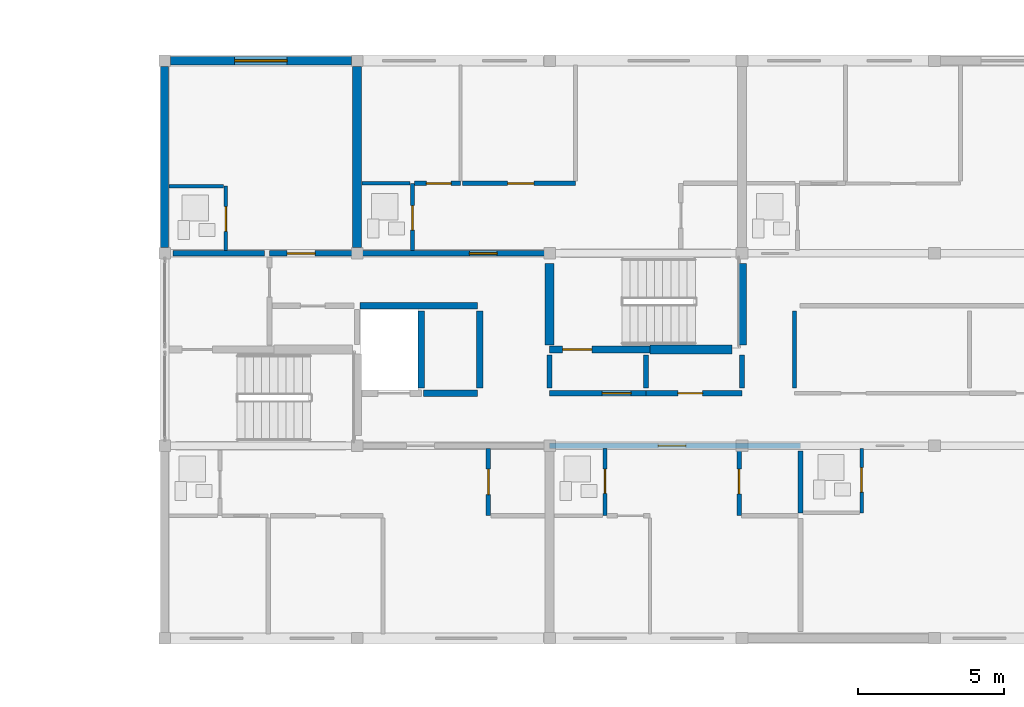
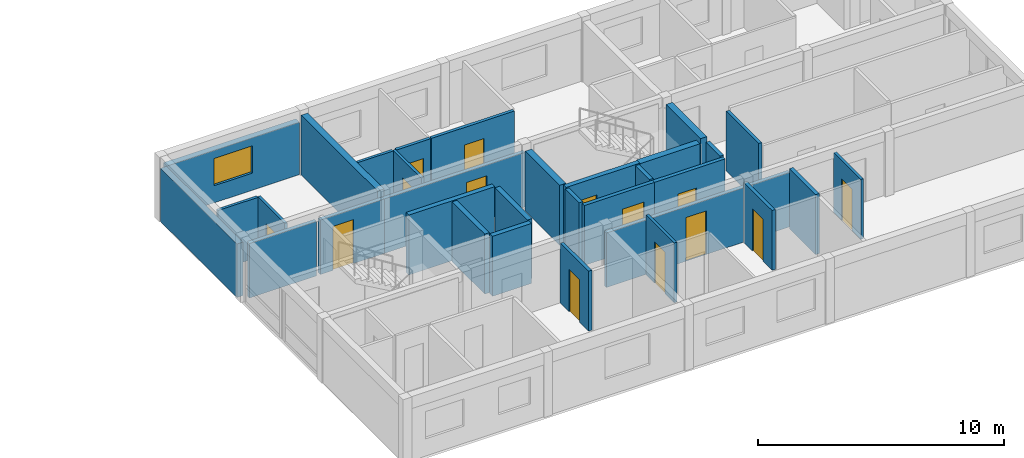
# One storey, part 24 of 34: 32 walls, 14 doors, 1 window, 15 openings.
"""IFC4 building model written with IfcOpenShell, lengths in metres."""

from ifc_helpers import new_model, si_unit, direction, frame, frame_2d, origin, place, context, subcontext, project, spatial, rectangle, extrude, material, layer, layer_set, type_object, element, fill, save


model = new_model("IFC4")

# Units and contexts
model_context = context("Model", 3, precision=1e-05, world=origin(), true_north=direction((0.0, 1.0)))
body_context = subcontext(model_context, "Body", "Model", "MODEL_VIEW")
ifc_project = project(units=[si_unit("LENGTHUNIT", "METRE"), si_unit("AREAUNIT", "SQUARE_METRE"), si_unit("VOLUMEUNIT", "CUBIC_METRE"), si_unit("PLANEANGLEUNIT", "RADIAN"), si_unit("MASSUNIT", "GRAM", prefix="KILO")], contexts=[model_context])

# Site, building, storey
site_placement = place(None, origin())
site = spatial("IfcSite", under=ifc_project, at=site_placement, CompositionType="ELEMENT")
building_placement = place(site_placement, origin())
building = spatial("IfcBuilding", under=site, at=building_placement, Name="Kernevlak Ridge Housing Community", CompositionType="ELEMENT")
storey_placement = place(building_placement, frame((0.0, 0.0, 34.0)))
storey = spatial("IfcBuildingStorey", under=building, at=storey_placement, Name="L10", CompositionType="ELEMENT", Elevation=34.0)

# Wall, opening, window
ifc_material_1 = material(Name="Concrete block masonry M10", Category="masonry")
ifc_layer_1 = layer(ifc_material_1, 0.280029296875, Name="Concrete block masonry M10")
ifc_layer_set_1 = layer_set([ifc_layer_1], Name="Concrete block masonry M10")
wall_type_1 = type_object("IfcWallType", Name="EW-03", PredefinedType="STANDARD", material=ifc_layer_set_1)
wall_1_placement = place(storey_placement, frame((119.60009765625, 102.39990234375, 0.0), z_axis=(0.0, 0.0, 1.0), x_axis=(1.0, 0.0, 0.0)))
wall_1 = element("IfcWall", 1, at=wall_1_placement, inside=storey, type_object=wall_type_1, Name="Exterior wall EW-03 L10 456", PredefinedType="STANDARD", context=body_context, shape_type="SweptSolid", body=[
    extrude(rectangle(XDim=6.199951171875, YDim=0.280029296875, at=frame_2d((3.10009765625, 0.0))), origin(), (0.0, 0.0, 1.0), 2.60009765625),
])
opening_1_placement = place(wall_1_placement, frame((2.199951171875, 0.0, 0.85009765625)))
opening_1 = element("IfcOpeningElement", 2, at=opening_1_placement, cuts=wall_1, Name="Opening WT-03", PredefinedType="OPENING", context=body_context, shape_type="SweptSolid", body=[
    extrude(rectangle(XDim=1.800048828125, YDim=1.35009765625, at=frame_2d((0.89990234375, 0.675048828125))), frame((0.0, 0.14990234375, 0.0), z_axis=(0.0, -1.0, 0.0), x_axis=(1.0, 0.0, 0.0)), (0.0, 0.0, 1.0), 0.300048828125),
])
ifc_material_2 = material(Name="Aluminium EN AW-6060 anodised and laminated glass", Category="aluminium")
window_type = type_object("IfcWindowType", Name="WT-03", PartitioningType="SINGLE_PANEL", PredefinedType="WINDOW", material=ifc_material_2)
window_placement = place(opening_1_placement, origin())
window = element("IfcWindow", 3, at=window_placement, inside=storey, type_object=window_type, Name="Window WT-03 L10 354", OverallHeight=1.35009765625, OverallWidth=1.800048828125, PartitioningType="SINGLE_PANEL", PredefinedType="WINDOW", context=body_context, shape_type="SweptSolid", body=[
    extrude(rectangle(XDim=1.800048828125, YDim=1.35009765625, at=frame_2d((0.89990234375, 0.675048828125))), frame((0.0, 0.030029296875, 0.0), z_axis=(0.0, -1.0, 0.0), x_axis=(1.0, 0.0, 0.0)), (0.0, 0.0, 1.0), 0.06005859375),
])
fill(opening_1, window)

# Walls
wall_2_placement = place(storey_placement, frame((119.39990234375, 96.0, 0.0), z_axis=(0.0, 0.0, 1.0), x_axis=(0.0, 1.0, 0.0)))
element("IfcWall", 4, at=wall_2_placement, inside=storey, type_object=wall_type_1, Name="Exterior wall EW-03 L10 464", PredefinedType="STANDARD", context=body_context, shape_type="SweptSolid", body=[
    extrude(rectangle(XDim=6.199951171875, YDim=0.280029296875, at=frame_2d((3.10009765625, 0.0))), origin(), (0.0, 0.0, 1.0), 2.64990234375),
])
ifc_material_3 = material(Name="Concrete C35/45", Category="concrete")
ifc_layer_2 = layer(ifc_material_3, 0.22509765625, Name="Concrete C35/45")
ifc_layer_set_2 = layer_set([ifc_layer_2], Name="Concrete C35/45")
wall_type_2 = type_object("IfcWallType", Name="PW-01", PredefinedType="STANDARD", material=ifc_layer_set_2)
wall_3_placement = place(storey_placement, frame((128.280029296875, 91.0, 0.0), z_axis=(0.0, 0.0, 1.0), x_axis=(1.0, 0.0, 0.0)))
element("IfcWall", 5, at=wall_3_placement, inside=storey, type_object=wall_type_2, Name="Interior wall PW-01 WAL-INT-L10-1770", PredefinedType="STANDARD", context=body_context, shape_type="SweptSolid", body=[
    extrude(rectangle(XDim=1.840087890625, YDim=0.22509765625, at=frame_2d((0.919921875, 0.0))), origin(), (0.0, 0.0, 1.0), 2.969970703125),
])
wall_4_placement = place(storey_placement, frame((126.097412109375, 94.0, 0.0), z_axis=(0.0, 0.0, 1.0), x_axis=(1.0, 0.0, 0.0)))
element("IfcWall", 6, at=wall_4_placement, inside=storey, type_object=wall_type_2, Name="Interior wall PW-01 WAL-INT-L10-1771", PredefinedType="STANDARD", context=body_context, shape_type="SweptSolid", body=[
    extrude(rectangle(XDim=4.022705078125, YDim=0.22509765625, at=frame_2d((2.01123046875, 0.0))), origin(), (0.0, 0.0, 1.0), 2.969970703125),
])
for number, where, z_axis, x_axis, name in (
    (7, (128.199951171875, 91.179931640625, 0.0), (0.0, 0.0, 1.0), (0.0, 1.0, 0.0), "Interior wall PW-01 WAL-INT-L10-1773"),
    (8, (130.199951171875, 91.179931640625, 0.0), (0.0, 0.0, 1.0), (0.0, 1.0, 0.0), "Interior wall PW-01 WAL-INT-L10-1774"),
):
    element("IfcWall", number, at=place(storey_placement, frame(where, z_axis=z_axis, x_axis=x_axis)), inside=storey, type_object=wall_type_2, Name=name, PredefinedType="STANDARD", context=body_context, shape_type="SweptSolid", body=[
        extrude(rectangle(XDim=2.64013671875, YDim=0.22509765625, at=frame_2d((1.320068359375, 0.0))), origin(), (0.0, 0.0, 1.0), 2.969970703125),
    ])

# Wall, opening, door
wall_5_placement = place(storey_placement, frame((132.60009765625, 92.5, 0.0), z_axis=(0.0, 0.0, 1.0), x_axis=(1.0, 0.0, 0.0)))
wall_5 = element("IfcWall", 9, at=wall_5_placement, inside=storey, type_object=wall_type_2, Name="Interior wall PW-01 WAL-INT-L10-1775", PredefinedType="STANDARD", context=body_context, shape_type="SweptSolid", body=[
    extrude(rectangle(XDim=3.449951171875, YDim=0.22509765625, at=frame_2d((1.72509765625, 0.0))), origin(), (0.0, 0.0, 1.0), 2.969970703125),
])
opening_2_placement = place(wall_5_placement, frame((0.449951171875, 0.0, 0.0)))
opening_2 = element("IfcOpeningElement", 10, at=opening_2_placement, cuts=wall_5, Name="Opening D898", PredefinedType="OPENING", context=body_context, shape_type="SweptSolid", body=[
    extrude(rectangle(XDim=1.0, YDim=2.10009765625, at=frame_2d((0.5, 1.050048828125))), frame((0.0, 0.12255859375, 0.0), z_axis=(0.0, -1.0, 0.0), x_axis=(1.0, 0.0, 0.0)), (0.0, 0.0, 1.0), 0.2451171875),
])
ifc_material_4 = material(Name="Fire-rated sheet steel leaf", Category="steel")
door_type_1 = type_object("IfcDoorType", Name="DT-05", OperationType="NOTDEFINED", PredefinedType="DOOR", material=ifc_material_4)
door_1_placement = place(opening_2_placement, origin())
door_1 = element("IfcDoor", 11, at=door_1_placement, inside=storey, type_object=door_type_1, Name="Block B Stair 2 fire door D898", OperationType="SINGLE_SWING_RIGHT", OverallHeight=2.10009765625, OverallWidth=1.0, PredefinedType="DOOR", context=body_context, shape_type="SweptSolid", body=[
    extrude(rectangle(XDim=1.0, YDim=2.10009765625, at=frame_2d((0.5, 1.050048828125))), frame((0.0, 0.02490234375, 0.0), z_axis=(0.0, -1.0, 0.0), x_axis=(1.0, 0.0, 0.0)), (0.0, 0.0, 1.0), 0.050048828125),
])
fill(opening_2, door_1)

ifc_layer_3 = layer(ifc_material_1, 0.175048828125, Name="Concrete block masonry M10")
ifc_layer_set_3 = layer_set([ifc_layer_3], Name="Concrete block masonry M10")
wall_type_3 = type_object("IfcWallType", Name="PW-02", PredefinedType="PARTITIONING", material=ifc_layer_set_3)
wall_6_placement = place(storey_placement, frame((132.60009765625, 91.0, 0.0), z_axis=(0.0, 0.0, 1.0), x_axis=(1.0, 0.0, 0.0)))
wall_6 = element("IfcWall", 12, at=wall_6_placement, inside=storey, type_object=wall_type_3, Name="Interior wall PW-02 WAL-INT-L10-1776", PredefinedType="PARTITIONING", context=body_context, shape_type="SweptSolid", body=[
    extrude(rectangle(XDim=3.2998046875, YDim=0.175048828125, at=frame_2d((1.64990234375, 0.0))), origin(), (0.0, 0.0, 1.0), 2.969970703125),
])
opening_3_placement = place(wall_6_placement, frame((1.800048828125, 0.0, 0.0)))
opening_3 = element("IfcOpeningElement", 13, at=opening_3_placement, cuts=wall_6, Name="Opening D899", PredefinedType="OPENING", context=body_context, shape_type="SweptSolid", body=[
    extrude(rectangle(XDim=1.0, YDim=2.159912109375, at=frame_2d((0.5, 1.080078125))), frame((0.0, 0.097412109375, 0.0), z_axis=(0.0, -1.0, 0.0), x_axis=(1.0, 0.0, 0.0)), (0.0, 0.0, 1.0), 0.195068359375),
])
door_type_2 = type_object("IfcDoorType", Name="DT-15", OperationType="NOTDEFINED", PredefinedType="DOOR", material=ifc_material_4)
door_2_placement = place(opening_3_placement, origin())
door_2 = element("IfcDoor", 14, at=door_2_placement, inside=storey, type_object=door_type_2, Name="Block B Firefighting lobby 2 door D899", OperationType="SINGLE_SWING_LEFT", OverallHeight=2.159912109375, OverallWidth=1.0, PredefinedType="DOOR", context=body_context, shape_type="SweptSolid", body=[
    extrude(rectangle(XDim=1.0, YDim=2.159912109375, at=frame_2d((0.5, 1.080078125))), frame((0.0, 0.02490234375, 0.0), z_axis=(0.0, -1.0, 0.0), x_axis=(1.0, 0.0, 0.0)), (0.0, 0.0, 1.0), 0.050048828125),
])
fill(opening_3, door_2)

wall_7_placement = place(storey_placement, frame((135.89990234375, 91.0, 0.0), z_axis=(0.0, 0.0, 1.0), x_axis=(1.0, 0.0, 0.0)))
wall_7 = element("IfcWall", 15, at=wall_7_placement, inside=storey, type_object=wall_type_3, Name="Interior wall PW-02 WAL-INT-L10-1777", PredefinedType="PARTITIONING", context=body_context, shape_type="SweptSolid", body=[
    extrude(rectangle(XDim=3.300048828125, YDim=0.175048828125, at=frame_2d((1.64990234375, 0.0))), origin(), (0.0, 0.0, 1.0), 2.969970703125),
])
opening_4_placement = place(wall_7_placement, frame((1.10009765625, 0.0, 0.0)))
opening_4 = element("IfcOpeningElement", 16, at=opening_4_placement, cuts=wall_7, Name="Opening D900", PredefinedType="OPENING", context=body_context, shape_type="SweptSolid", body=[
    extrude(rectangle(XDim=0.85009765625, YDim=2.0, at=frame_2d((0.425048828125, 1.0))), frame((0.0, 0.097412109375, 0.0), z_axis=(0.0, -1.0, 0.0), x_axis=(1.0, 0.0, 0.0)), (0.0, 0.0, 1.0), 0.195068359375),
])
door_type_3 = type_object("IfcDoorType", Name="DT-07", OperationType="NOTDEFINED", PredefinedType="DOOR", material=ifc_material_4)
door_3_placement = place(opening_4_placement, origin())
door_3 = element("IfcDoor", 17, at=door_3_placement, inside=storey, type_object=door_type_3, Name="Block B Cleaner store door D900", OperationType="SINGLE_SWING_RIGHT", OverallHeight=2.0, OverallWidth=0.85009765625, PredefinedType="DOOR", context=body_context, shape_type="SweptSolid", body=[
    extrude(rectangle(XDim=0.85009765625, YDim=2.0, at=frame_2d((0.425048828125, 1.0))), frame((0.0, 0.02490234375, 0.0), z_axis=(0.0, -1.0, 0.0), x_axis=(1.0, 0.0, 0.0)), (0.0, 0.0, 1.0), 0.050048828125),
])
fill(opening_4, door_3)

# Walls
for number, where, z_axis, x_axis, name in (
    (18, (132.60009765625, 91.179931640625, 0.0), (0.0, 0.0, 1.0), (0.0, 1.0, 0.0), "Interior wall PW-02 WAL-INT-L10-1778"),
    (19, (135.89990234375, 91.179931640625, 0.0), (0.0, 0.0, 1.0), (0.0, 1.0, 0.0), "Interior wall PW-02 WAL-INT-L10-1779"),
    (20, (139.199951171875, 91.179931640625, 0.0), (0.0, 0.0, 1.0), (0.0, 1.0, 0.0), "Interior wall PW-02 WAL-INT-L10-1780"),
):
    element("IfcWall", number, at=place(storey_placement, frame(where, z_axis=z_axis, x_axis=x_axis)), inside=storey, type_object=wall_type_3, Name=name, PredefinedType="PARTITIONING", context=body_context, shape_type="SweptSolid", body=[
        extrude(rectangle(XDim=1.14013671875, YDim=0.175048828125, at=frame_2d((0.570068359375, 0.0))), origin(), (0.0, 0.0, 1.0), 2.969970703125),
    ])

# Wall, opening, door
wall_8_placement = place(storey_placement, frame((132.60009765625, 89.199951171875, 0.0), z_axis=(0.0, 0.0, 1.0), x_axis=(1.0, 0.0, 0.0)))
wall_8 = element("IfcWall", 21, at=wall_8_placement, inside=storey, type_object=wall_type_3, Name="Interior wall PW-02 WAL-INT-L10-1795", PredefinedType="PARTITIONING", context=body_context, shape_type="SweptSolid", body=[
    extrude(rectangle(XDim=8.599853515625, YDim=0.175048828125, at=frame_2d((4.2998046875, 0.0))), origin(), (0.0, 0.0, 1.0), 2.699951171875),
])
opening_5_placement = place(wall_8_placement, frame((3.72509765625, 0.0, 0.0)))
opening_5 = element("IfcOpeningElement", 22, at=opening_5_placement, cuts=wall_8, Name="Opening D908", PredefinedType="OPENING", context=body_context, shape_type="SweptSolid", body=[
    extrude(rectangle(XDim=0.949951171875, YDim=2.159912109375, at=frame_2d((0.47509765625, 1.080078125))), frame((0.0, 0.097412109375, 0.0), z_axis=(0.0, -1.0, 0.0), x_axis=(1.0, 0.0, 0.0)), (0.0, 0.0, 1.0), 0.195068359375),
])
ifc_material_5 = material(Name="Hardwood timber solid-core fire leaf", Category="wood")
door_type_4 = type_object("IfcDoorType", Name="DT-02", OperationType="NOTDEFINED", PredefinedType="DOOR", material=ifc_material_5)
door_4_placement = place(opening_5_placement, origin())
door_4 = element("IfcDoor", 23, at=door_4_placement, inside=storey, type_object=door_type_4, Name="Flat B1012 entrance fire door D908", OperationType="SINGLE_SWING_RIGHT", OverallHeight=2.159912109375, OverallWidth=0.949951171875, PredefinedType="DOOR", context=body_context, shape_type="SweptSolid", body=[
    extrude(rectangle(XDim=0.949951171875, YDim=2.159912109375, at=frame_2d((0.47509765625, 1.080078125))), frame((0.0, 0.02490234375, 0.0), z_axis=(0.0, -1.0, 0.0), x_axis=(1.0, 0.0, 0.0)), (0.0, 0.0, 1.0), 0.050048828125),
])
fill(opening_5, door_4)

# Walls
wall_9_placement = place(storey_placement, frame((141.199951171875, 89.02001953125, 0.0), z_axis=(0.0, 0.0, 1.0), x_axis=(0.0, -1.0, 0.0)))
element("IfcWall", 24, at=wall_9_placement, inside=storey, type_object=wall_type_3, Name="Interior wall PW-02 WAL-INT-L10-1802", PredefinedType="PARTITIONING", context=body_context, shape_type="SweptSolid", body=[
    extrude(rectangle(XDim=2.132568359375, YDim=0.175048828125, at=frame_2d((1.06640625, 0.0))), origin(), (0.0, 0.0, 1.0), 2.969970703125),
])
wall_10_placement = place(storey_placement, frame((119.679931640625, 95.800048828125, 0.0), z_axis=(0.0, 0.0, 1.0), x_axis=(1.0, 0.0, 0.0)))
element("IfcWall", 25, at=wall_10_placement, inside=storey, type_object=wall_type_3, Name="Interior wall PW-02 WAL-INT-L10-1806", PredefinedType="PARTITIONING", context=body_context, shape_type="SweptSolid", body=[
    extrude(rectangle(XDim=3.14013671875, YDim=0.175048828125, at=frame_2d((1.570068359375, 0.0))), origin(), (0.0, 0.0, 1.0), 2.699951171875),
])

# Wall, opening, door
wall_11_placement = place(storey_placement, frame((123.0, 95.800048828125, 0.0), z_axis=(0.0, 0.0, 1.0), x_axis=(1.0, 0.0, 0.0)))
wall_11 = element("IfcWall", 26, at=wall_11_placement, inside=storey, type_object=wall_type_3, Name="Interior wall PW-02 WAL-INT-L10-1807", PredefinedType="PARTITIONING", context=body_context, shape_type="SweptSolid", body=[
    extrude(rectangle(XDim=3.0, YDim=0.175048828125, at=frame_2d((1.5, 0.0))), origin(), (0.0, 0.0, 1.0), 2.699951171875),
])
opening_6_placement = place(wall_11_placement, frame((0.60009765625, 0.0, 0.0)))
opening_6 = element("IfcOpeningElement", 27, at=opening_6_placement, cuts=wall_11, Name="Opening D914", PredefinedType="OPENING", context=body_context, shape_type="SweptSolid", body=[
    extrude(rectangle(XDim=0.9599609375, YDim=2.179931640625, at=frame_2d((0.47998046875, 1.08984375))), frame((0.0, 0.097412109375, 0.0), z_axis=(0.0, -1.0, 0.0), x_axis=(1.0, 0.0, 0.0)), (0.0, 0.0, 1.0), 0.195068359375),
])
door_type_5 = type_object("IfcDoorType", Name="DT-29", OperationType="NOTDEFINED", PredefinedType="DOOR", material=ifc_material_5)
door_5_placement = place(opening_6_placement, origin())
door_5 = element("IfcDoor", 28, at=door_5_placement, inside=storey, type_object=door_type_5, Name="Flat B1021 entrance fire door D914", OperationType="SINGLE_SWING_RIGHT", OverallHeight=2.179931640625, OverallWidth=0.9599609375, PredefinedType="DOOR", context=body_context, shape_type="SweptSolid", body=[
    extrude(rectangle(XDim=0.9599609375, YDim=2.179931640625, at=frame_2d((0.47998046875, 1.08984375))), frame((0.0, 0.02490234375, 0.0), z_axis=(0.0, -1.0, 0.0), x_axis=(1.0, 0.0, 0.0)), (0.0, 0.0, 1.0), 0.050048828125),
])
fill(opening_6, door_5)

wall_12_placement = place(storey_placement, frame((126.0, 95.800048828125, 0.0), z_axis=(0.0, 0.0, 1.0), x_axis=(1.0, 0.0, 0.0)))
wall_12 = element("IfcWall", 29, at=wall_12_placement, inside=storey, type_object=wall_type_3, Name="Interior wall PW-02 WAL-INT-L10-1810", PredefinedType="PARTITIONING", context=body_context, shape_type="SweptSolid", body=[
    extrude(rectangle(XDim=6.60009765625, YDim=0.175048828125, at=frame_2d((3.300048828125, 0.0))), origin(), (0.0, 0.0, 1.0), 2.699951171875),
])
opening_7_placement = place(wall_12_placement, frame((3.85009765625, 0.0, 0.0)))
opening_7 = element("IfcOpeningElement", 30, at=opening_7_placement, cuts=wall_12, Name="Opening D916", PredefinedType="OPENING", context=body_context, shape_type="SweptSolid", body=[
    extrude(rectangle(XDim=0.949951171875, YDim=2.159912109375, at=frame_2d((0.47509765625, 1.080078125))), frame((0.0, 0.097412109375, 0.0), z_axis=(0.0, -1.0, 0.0), x_axis=(1.0, 0.0, 0.0)), (0.0, 0.0, 1.0), 0.195068359375),
])
door_6_placement = place(opening_7_placement, origin())
door_6 = element("IfcDoor", 31, at=door_6_placement, inside=storey, type_object=door_type_4, Name="Flat B1022 entrance fire door D916", OperationType="SINGLE_SWING_RIGHT", OverallHeight=2.159912109375, OverallWidth=0.949951171875, PredefinedType="DOOR", context=body_context, shape_type="SweptSolid", body=[
    extrude(rectangle(XDim=0.949951171875, YDim=2.159912109375, at=frame_2d((0.47509765625, 1.080078125))), frame((0.0, 0.02490234375, 0.0), z_axis=(0.0, -1.0, 0.0), x_axis=(1.0, 0.0, 0.0)), (0.0, 0.0, 1.0), 0.050048828125),
])
fill(opening_7, door_6)

# Wall
ifc_layer_4 = layer(ifc_material_1, 0.14501953125, Name="Concrete block masonry M10")
ifc_layer_set_4 = layer_set([ifc_layer_4], Name="Concrete block masonry M10")
wall_type_4 = type_object("IfcWallType", Name="PW-03", PredefinedType="PARTITIONING", material=ifc_layer_set_4)
wall_13_placement = place(storey_placement, frame((141.0, 91.179931640625, 0.0), z_axis=(0.0, 0.0, 1.0), x_axis=(0.0, 1.0, 0.0)))
element("IfcWall", 32, at=wall_13_placement, inside=storey, type_object=wall_type_4, Name="Interior wall PW-03 WAL-INT-L10-1785", PredefinedType="PARTITIONING", context=body_context, shape_type="SweptSolid", body=[
    extrude(rectangle(XDim=2.64013671875, YDim=0.14501953125, at=frame_2d((1.320068359375, 0.0))), origin(), (0.0, 0.0, 1.0), 2.969970703125),
])

# Wall, opening, door
wall_14_placement = place(storey_placement, frame((127.972412109375, 98.199951171875, 0.0), z_axis=(0.0, 0.0, 1.0), x_axis=(1.0, 0.0, 0.0)))
wall_14 = element("IfcWall", 33, at=wall_14_placement, inside=storey, type_object=wall_type_4, Name="Interior wall PW-03 WAL-INT-L10-1815", PredefinedType="PARTITIONING", context=body_context, shape_type="SweptSolid", body=[
    extrude(rectangle(XDim=1.57763671875, YDim=0.14501953125, at=frame_2d((0.788818359375, 0.0))), origin(), (0.0, 0.0, 1.0), 2.969970703125),
])
opening_8_placement = place(wall_14_placement, frame((0.39990234375, 0.0, 0.0)))
opening_8 = element("IfcOpeningElement", 34, at=opening_8_placement, cuts=wall_14, Name="Opening D919", PredefinedType="OPENING", context=body_context, shape_type="SweptSolid", body=[
    extrude(rectangle(XDim=0.85009765625, YDim=2.10009765625, at=frame_2d((0.425048828125, 1.050048828125))), frame((0.0, 0.08251953125, 0.0), z_axis=(0.0, -1.0, 0.0), x_axis=(1.0, 0.0, 0.0)), (0.0, 0.0, 1.0), 0.1650390625),
])
ifc_material_6 = material(Name="Hardwood timber leaf", Category="wood")
door_type_6 = type_object("IfcDoorType", Name="DT-03", OperationType="NOTDEFINED", PredefinedType="DOOR", material=ifc_material_6)
door_7_placement = place(opening_8_placement, origin())
door_7 = element("IfcDoor", 35, at=door_7_placement, inside=storey, type_object=door_type_6, Name="Flat B1022 bedroom door D919", OperationType="SINGLE_SWING_LEFT", OverallHeight=2.10009765625, OverallWidth=0.85009765625, PredefinedType="DOOR", context=body_context, shape_type="SweptSolid", body=[
    extrude(rectangle(XDim=0.85009765625, YDim=2.10009765625, at=frame_2d((0.425048828125, 1.050048828125))), frame((0.0, 0.02490234375, 0.0), z_axis=(0.0, -1.0, 0.0), x_axis=(1.0, 0.0, 0.0)), (0.0, 0.0, 1.0), 0.050048828125),
])
fill(opening_8, door_7)

wall_15_placement = place(storey_placement, frame((129.612548828125, 98.199951171875, 0.0), z_axis=(0.0, 0.0, 1.0), x_axis=(1.0, 0.0, 0.0)))
wall_15 = element("IfcWall", 36, at=wall_15_placement, inside=storey, type_object=wall_type_4, Name="Interior wall PW-03 WAL-INT-L10-1817", PredefinedType="PARTITIONING", context=body_context, shape_type="SweptSolid", body=[
    extrude(rectangle(XDim=3.87939453125, YDim=0.14501953125, at=frame_2d((1.939697265625, 0.0))), origin(), (0.0, 0.0, 1.0), 2.969970703125),
])
opening_9_placement = place(wall_15_placement, frame((1.5458984375, 0.0, 0.0)))
opening_9 = element("IfcOpeningElement", 37, at=opening_9_placement, cuts=wall_15, Name="Opening D920", PredefinedType="OPENING", context=body_context, shape_type="SweptSolid", body=[
    extrude(rectangle(XDim=0.89990234375, YDim=2.10009765625, at=frame_2d((0.449951171875, 1.050048828125))), frame((0.0, 0.08251953125, 0.0), z_axis=(0.0, -1.0, 0.0), x_axis=(1.0, 0.0, 0.0)), (0.0, 0.0, 1.0), 0.1650390625),
])
door_type_7 = type_object("IfcDoorType", Name="DT-21", OperationType="NOTDEFINED", PredefinedType="DOOR", material=ifc_material_6)
door_8_placement = place(opening_9_placement, origin())
door_8 = element("IfcDoor", 38, at=door_8_placement, inside=storey, type_object=door_type_7, Name="Flat B1022 bedroom door D920", OperationType="SINGLE_SWING_RIGHT", OverallHeight=2.10009765625, OverallWidth=0.89990234375, PredefinedType="DOOR", context=body_context, shape_type="SweptSolid", body=[
    extrude(rectangle(XDim=0.89990234375, YDim=2.10009765625, at=frame_2d((0.449951171875, 1.050048828125))), frame((0.0, 0.02490234375, 0.0), z_axis=(0.0, -1.0, 0.0), x_axis=(1.0, 0.0, 0.0)), (0.0, 0.0, 1.0), 0.050048828125),
])
fill(opening_9, door_8)

ifc_material_7 = material(Name="Gypsum plasterboard EN 520", Category="gypsum")
ifc_layer_5 = layer(ifc_material_7, 0.125, Name="Gypsum plasterboard EN 520")
ifc_layer_set_5 = layer_set([ifc_layer_5], Name="Gypsum plasterboard EN 520")
wall_type_5 = type_object("IfcWallType", Name="PW-04", PredefinedType="PARTITIONING", material=ifc_layer_set_5)
wall_16_placement = place(storey_placement, frame((134.5, 89.1025390625, 0.0), z_axis=(0.0, 0.0, 1.0), x_axis=(0.0, -1.0, 0.0)))
wall_16 = element("IfcWall", 39, at=wall_16_placement, inside=storey, type_object=wall_type_5, Name="Interior wall PW-04 WAL-INT-L10-1796", PredefinedType="PARTITIONING", context=body_context, shape_type="SweptSolid", body=[
    extrude(rectangle(XDim=2.302490234375, YDim=0.125, at=frame_2d((1.1513671875, 0.0))), origin(), (0.0, 0.0, 1.0), 2.969970703125),
])
opening_10_placement = place(wall_16_placement, frame((0.699951171875, 0.0, 0.0)))
opening_10 = element("IfcOpeningElement", 40, at=opening_10_placement, cuts=wall_16, Name="Opening D909", PredefinedType="OPENING", context=body_context, shape_type="SweptSolid", body=[
    extrude(rectangle(XDim=0.840087890625, YDim=2.06005859375, at=frame_2d((0.419921875, 1.030029296875))), frame((0.0, 0.072509765625, 0.0), z_axis=(0.0, -1.0, 0.0), x_axis=(1.0, 0.0, 0.0)), (0.0, 0.0, 1.0), 0.14501953125),
])
ifc_material_8 = material(Name="Hardwood timber moisture-resistant leaf", Category="wood")
door_type_8 = type_object("IfcDoorType", Name="DT-27", OperationType="NOTDEFINED", PredefinedType="DOOR", material=ifc_material_8)
door_9_placement = place(opening_10_placement, origin())
door_9 = element("IfcDoor", 41, at=door_9_placement, inside=storey, type_object=door_type_8, Name="Flat B1012 bathroom door D909", OperationType="SINGLE_SWING_LEFT", OverallHeight=2.06005859375, OverallWidth=0.840087890625, PredefinedType="DOOR", context=body_context, shape_type="SweptSolid", body=[
    extrude(rectangle(XDim=0.840087890625, YDim=2.06005859375, at=frame_2d((0.419921875, 1.030029296875))), frame((0.0, 0.02490234375, 0.0), z_axis=(0.0, -1.0, 0.0), x_axis=(1.0, 0.0, 0.0)), (0.0, 0.0, 1.0), 0.050048828125),
])
fill(opening_10, door_9)

wall_17_placement = place(storey_placement, frame((143.300048828125, 89.1025390625, 0.0), z_axis=(0.0, 0.0, 1.0), x_axis=(0.0, -1.0, 0.0)))
wall_17 = element("IfcWall", 42, at=wall_17_placement, inside=storey, type_object=wall_type_5, Name="Interior wall PW-04 WAL-INT-L10-1804", PredefinedType="PARTITIONING", context=body_context, shape_type="SweptSolid", body=[
    extrude(rectangle(XDim=2.20263671875, YDim=0.125, at=frame_2d((1.101318359375, 0.0))), origin(), (0.0, 0.0, 1.0), 2.969970703125),
])
opening_11_placement = place(wall_17_placement, frame((0.64990234375, 0.0, 0.0)))
opening_11 = element("IfcOpeningElement", 43, at=opening_11_placement, cuts=wall_17, Name="Opening D913", PredefinedType="OPENING", context=body_context, shape_type="SweptSolid", body=[
    extrude(rectangle(XDim=0.840087890625, YDim=2.06005859375, at=frame_2d((0.419921875, 1.030029296875))), frame((0.0, 0.072509765625, 0.0), z_axis=(0.0, -1.0, 0.0), x_axis=(1.0, 0.0, 0.0)), (0.0, 0.0, 1.0), 0.14501953125),
])
door_10_placement = place(opening_11_placement, origin())
door_10 = element("IfcDoor", 44, at=door_10_placement, inside=storey, type_object=door_type_8, Name="Flat B1013 bathroom door D913", OperationType="SINGLE_SWING_LEFT", OverallHeight=2.06005859375, OverallWidth=0.840087890625, PredefinedType="DOOR", context=body_context, shape_type="SweptSolid", body=[
    extrude(rectangle(XDim=0.840087890625, YDim=2.06005859375, at=frame_2d((0.419921875, 1.030029296875))), frame((0.0, 0.02490234375, 0.0), z_axis=(0.0, -1.0, 0.0), x_axis=(1.0, 0.0, 0.0)), (0.0, 0.0, 1.0), 0.050048828125),
])
fill(opening_11, door_10)

wall_18_placement = place(storey_placement, frame((121.5, 95.8974609375, 0.0), z_axis=(0.0, 0.0, 1.0), x_axis=(0.0, 1.0, 0.0)))
wall_18 = element("IfcWall", 45, at=wall_18_placement, inside=storey, type_object=wall_type_5, Name="Interior wall PW-04 WAL-INT-L10-1808", PredefinedType="PARTITIONING", context=body_context, shape_type="SweptSolid", body=[
    extrude(rectangle(XDim=2.20263671875, YDim=0.125, at=frame_2d((1.101318359375, 0.0))), origin(), (0.0, 0.0, 1.0), 2.969970703125),
])
opening_12_placement = place(wall_18_placement, frame((0.64990234375, 0.0, 0.0)))
opening_12 = element("IfcOpeningElement", 46, at=opening_12_placement, cuts=wall_18, Name="Opening D915", PredefinedType="OPENING", context=body_context, shape_type="SweptSolid", body=[
    extrude(rectangle(XDim=0.85009765625, YDim=2.0400390625, at=frame_2d((0.425048828125, 1.02001953125))), frame((0.0, 0.072509765625, 0.0), z_axis=(0.0, -1.0, 0.0), x_axis=(1.0, 0.0, 0.0)), (0.0, 0.0, 1.0), 0.14501953125),
])
door_type_9 = type_object("IfcDoorType", Name="DT-04", OperationType="NOTDEFINED", PredefinedType="DOOR", material=ifc_material_8)
door_11_placement = place(opening_12_placement, origin())
door_11 = element("IfcDoor", 47, at=door_11_placement, inside=storey, type_object=door_type_9, Name="Flat B1021 bathroom door D915", OperationType="SINGLE_SWING_LEFT", OverallHeight=2.0400390625, OverallWidth=0.85009765625, PredefinedType="DOOR", context=body_context, shape_type="SweptSolid", body=[
    extrude(rectangle(XDim=0.85009765625, YDim=2.0400390625, at=frame_2d((0.425048828125, 1.02001953125))), frame((0.0, 0.02490234375, 0.0), z_axis=(0.0, -1.0, 0.0), x_axis=(1.0, 0.0, 0.0)), (0.0, 0.0, 1.0), 0.050048828125),
])
fill(opening_12, door_11)

# Wall
wall_19_placement = place(storey_placement, frame((119.550048828125, 98.10009765625, 0.0), z_axis=(0.0, 0.0, 1.0), x_axis=(1.0, 0.0, 0.0)))
element("IfcWall", 48, at=wall_19_placement, inside=storey, type_object=wall_type_5, Name="Interior wall PW-04 WAL-INT-L10-1809", PredefinedType="PARTITIONING", context=body_context, shape_type="SweptSolid", body=[
    extrude(rectangle(XDim=1.869873046875, YDim=0.125, at=frame_2d((0.93505859375, 0.0))), origin(), (0.0, 0.0, 1.0), 2.969970703125),
])

# Wall, opening, door
wall_20_placement = place(storey_placement, frame((127.89990234375, 95.8974609375, 0.0), z_axis=(0.0, 0.0, 1.0), x_axis=(0.0, 1.0, 0.0)))
wall_20 = element("IfcWall", 49, at=wall_20_placement, inside=storey, type_object=wall_type_5, Name="Interior wall PW-04 WAL-INT-L10-1811", PredefinedType="PARTITIONING", context=body_context, shape_type="SweptSolid", body=[
    extrude(rectangle(XDim=2.302490234375, YDim=0.125, at=frame_2d((1.1513671875, 0.0))), origin(), (0.0, 0.0, 1.0), 2.969970703125),
])
opening_13_placement = place(wall_20_placement, frame((0.699951171875, 0.0, 0.0)))
opening_13 = element("IfcOpeningElement", 50, at=opening_13_placement, cuts=wall_20, Name="Opening D917", PredefinedType="OPENING", context=body_context, shape_type="SweptSolid", body=[
    extrude(rectangle(XDim=0.840087890625, YDim=2.06005859375, at=frame_2d((0.419921875, 1.030029296875))), frame((0.0, 0.072509765625, 0.0), z_axis=(0.0, -1.0, 0.0), x_axis=(1.0, 0.0, 0.0)), (0.0, 0.0, 1.0), 0.14501953125),
])
door_12_placement = place(opening_13_placement, origin())
door_12 = element("IfcDoor", 51, at=door_12_placement, inside=storey, type_object=door_type_8, Name="Flat B1022 bathroom door D917", OperationType="SINGLE_SWING_LEFT", OverallHeight=2.06005859375, OverallWidth=0.840087890625, PredefinedType="DOOR", context=body_context, shape_type="SweptSolid", body=[
    extrude(rectangle(XDim=0.840087890625, YDim=2.06005859375, at=frame_2d((0.419921875, 1.030029296875))), frame((0.0, 0.02490234375, 0.0), z_axis=(0.0, -1.0, 0.0), x_axis=(1.0, 0.0, 0.0)), (0.0, 0.0, 1.0), 0.050048828125),
])
fill(opening_13, door_12)

# Wall
wall_21_placement = place(storey_placement, frame((126.159912109375, 98.199951171875, 0.0), z_axis=(0.0, 0.0, 1.0), x_axis=(1.0, 0.0, 0.0)))
element("IfcWall", 52, at=wall_21_placement, inside=storey, type_object=wall_type_5, Name="Interior wall PW-04 WAL-INT-L10-1812", PredefinedType="PARTITIONING", context=body_context, shape_type="SweptSolid", body=[
    extrude(rectangle(XDim=1.66015625, YDim=0.125, at=frame_2d((0.830078125, 0.0))), origin(), (0.0, 0.0, 1.0), 2.969970703125),
])

# Wall, opening, door
ifc_layer_6 = layer(ifc_material_7, 0.155029296875, Name="Gypsum plasterboard EN 520")
ifc_layer_set_6 = layer_set([ifc_layer_6], Name="Gypsum plasterboard EN 520")
wall_type_6 = type_object("IfcWallType", Name="PW-05", PredefinedType="PARTITIONING", material=ifc_layer_set_6)
wall_22_placement = place(storey_placement, frame((130.5, 89.1025390625, 0.0), z_axis=(0.0, 0.0, 1.0), x_axis=(0.0, -1.0, 0.0)))
wall_22 = element("IfcWall", 53, at=wall_22_placement, inside=storey, type_object=wall_type_6, Name="Interior wall PW-05 WAL-INT-L10-1789", PredefinedType="PARTITIONING", context=body_context, shape_type="SweptSolid", body=[
    extrude(rectangle(XDim=2.302490234375, YDim=0.155029296875, at=frame_2d((1.1513671875, 0.0))), origin(), (0.0, 0.0, 1.0), 2.969970703125),
])
opening_14_placement = place(wall_22_placement, frame((0.699951171875, 0.0, 0.0)))
opening_14 = element("IfcOpeningElement", 54, at=opening_14_placement, cuts=wall_22, Name="Opening D905", PredefinedType="OPENING", context=body_context, shape_type="SweptSolid", body=[
    extrude(rectangle(XDim=0.8798828125, YDim=2.10009765625, at=frame_2d((0.43994140625, 1.050048828125))), frame((0.0, 0.08740234375, 0.0), z_axis=(0.0, -1.0, 0.0), x_axis=(1.0, 0.0, 0.0)), (0.0, 0.0, 1.0), 0.175048828125),
])
door_type_10 = type_object("IfcDoorType", Name="DT-25", OperationType="NOTDEFINED", PredefinedType="DOOR", material=ifc_material_6)
door_13_placement = place(opening_14_placement, origin())
door_13 = element("IfcDoor", 55, at=door_13_placement, inside=storey, type_object=door_type_10, Name="Flat B1011 kitchen door D905", OperationType="SINGLE_SWING_LEFT", OverallHeight=2.10009765625, OverallWidth=0.8798828125, PredefinedType="DOOR", context=body_context, shape_type="SweptSolid", body=[
    extrude(rectangle(XDim=0.8798828125, YDim=2.10009765625, at=frame_2d((0.43994140625, 1.050048828125))), frame((0.0, 0.02490234375, 0.0), z_axis=(0.0, -1.0, 0.0), x_axis=(1.0, 0.0, 0.0)), (0.0, 0.0, 1.0), 0.050048828125),
])
fill(opening_14, door_13)

wall_23_placement = place(storey_placement, frame((139.10009765625, 89.1025390625, 0.0), z_axis=(0.0, 0.0, 1.0), x_axis=(0.0, -1.0, 0.0)))
wall_23 = element("IfcWall", 56, at=wall_23_placement, inside=storey, type_object=wall_type_6, Name="Interior wall PW-05 WAL-INT-L10-1798", PredefinedType="PARTITIONING", context=body_context, shape_type="SweptSolid", body=[
    extrude(rectangle(XDim=2.302490234375, YDim=0.155029296875, at=frame_2d((1.1513671875, 0.0))), origin(), (0.0, 0.0, 1.0), 2.969970703125),
])
opening_15_placement = place(wall_23_placement, frame((0.699951171875, 0.0, 0.0)))
opening_15 = element("IfcOpeningElement", 57, at=opening_15_placement, cuts=wall_23, Name="Opening D910", PredefinedType="OPENING", context=body_context, shape_type="SweptSolid", body=[
    extrude(rectangle(XDim=0.85009765625, YDim=2.10009765625, at=frame_2d((0.425048828125, 1.050048828125))), frame((0.0, 0.08740234375, 0.0), z_axis=(0.0, -1.0, 0.0), x_axis=(1.0, 0.0, 0.0)), (0.0, 0.0, 1.0), 0.175048828125),
])
door_14_placement = place(opening_15_placement, origin())
door_14 = element("IfcDoor", 58, at=door_14_placement, inside=storey, type_object=door_type_6, Name="Flat B1012 kitchen door D910", OperationType="SINGLE_SWING_RIGHT", OverallHeight=2.10009765625, OverallWidth=0.85009765625, PredefinedType="DOOR", context=body_context, shape_type="SweptSolid", body=[
    extrude(rectangle(XDim=0.85009765625, YDim=2.10009765625, at=frame_2d((0.425048828125, 1.050048828125))), frame((0.0, 0.02490234375, 0.0), z_axis=(0.0, -1.0, 0.0), x_axis=(1.0, 0.0, 0.0)), (0.0, 0.0, 1.0), 0.050048828125),
])
fill(opening_15, door_14)

# Walls
ifc_material_9 = material(Name="Concrete C40/50", Category="concrete")
ifc_layer_7 = layer(ifc_material_9, 0.300048828125, Name="Concrete C40/50")
ifc_layer_set_7 = layer_set([ifc_layer_7], Name="Concrete C40/50")
wall_type_7 = type_object("IfcWallType", Name="SW-02", PredefinedType="SHEAR", material=ifc_layer_set_7)
for number, where, z_axis, x_axis, name in (
    (59, (136.050048828125, 92.5, 0.0), (0.0, 0.0, 1.0), (1.0, 0.0, 0.0), "Shear wall SW-02 Block B L10 315"),
    (60, (132.60009765625, 92.64990234375, 0.0), (0.0, 0.0, 1.0), (0.0, 1.0, 0.0), "Shear wall SW-02 Block B L10 316"),
    (61, (139.199951171875, 92.64990234375, 0.0), (0.0, 0.0, 1.0), (0.0, 1.0, 0.0), "Shear wall SW-02 Block B L10 317"),
):
    element("IfcWall", number, at=place(storey_placement, frame(where, z_axis=z_axis, x_axis=x_axis)), inside=storey, type_object=wall_type_7, Name=name, PredefinedType="SHEAR", context=body_context, shape_type="SweptSolid", body=[
        extrude(rectangle(XDim=2.800048828125, YDim=0.300048828125, at=frame_2d((1.39990234375, 0.0))), origin(), (0.0, 0.0, 1.0), 2.969970703125),
    ])
wall_24_placement = place(storey_placement, frame((126.0, 96.0, 0.0), z_axis=(0.0, 0.0, 1.0), x_axis=(0.0, 1.0, 0.0)))
element("IfcWall", 62, at=wall_24_placement, inside=storey, type_object=wall_type_7, Name="Shear wall SW-02 Block B L10 319", PredefinedType="SHEAR", context=body_context, shape_type="SweptSolid", body=[
    extrude(rectangle(XDim=6.199951171875, YDim=0.300048828125, at=frame_2d((3.10009765625, 0.0))), origin(), (0.0, 0.0, 1.0), 2.969970703125),
])

save(model, "model.ifc")
